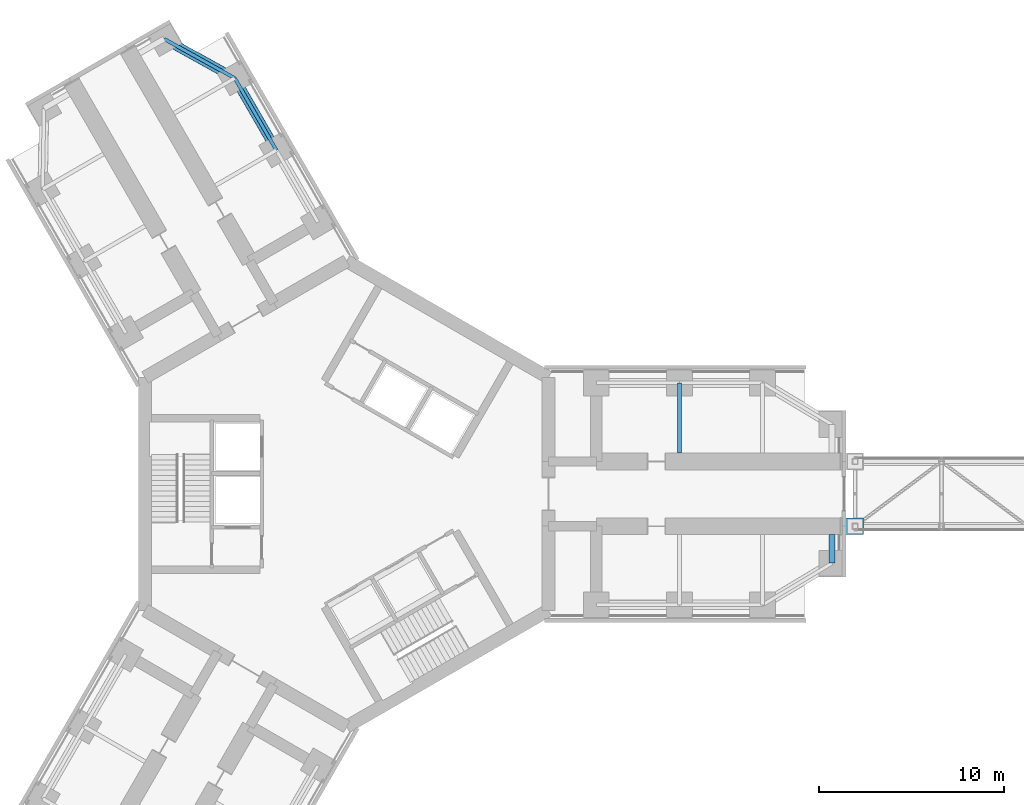
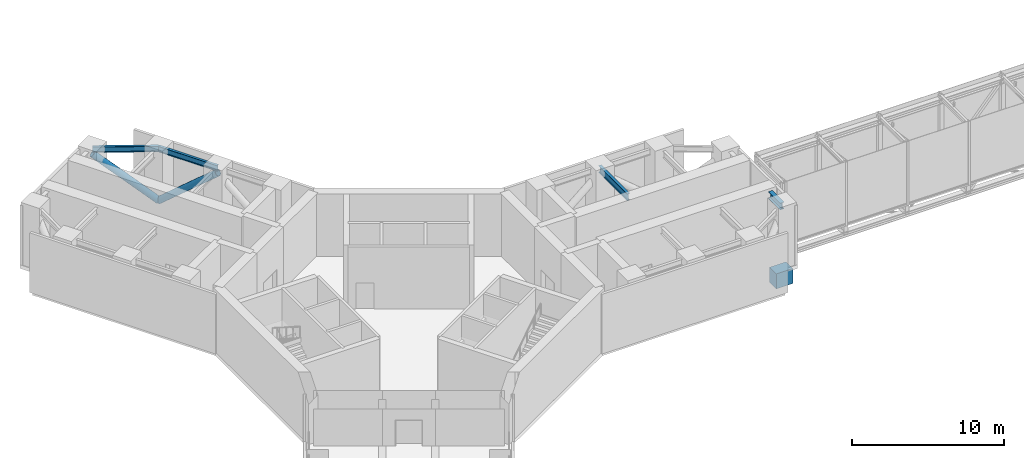
# One storey, part 2 of 17: 5 beams, 2 members.
"""IFC4 building model written with IfcOpenShell, lengths in metres."""

from ifc_helpers import new_model, si_unit, direction, frame, origin, origin_2d, place, context, subcontext, project, spatial, rectangle, hollow_circle, i_section, extrude, material, material_profile, profile_set, type_object, element, save


model = new_model("IFC4")

# Units and contexts
model_context = context("Model", 3, precision=1e-05, world=origin(), true_north=direction((0.0, 1.0)))
body_context = subcontext(model_context, "Body", "Model", "MODEL_VIEW")
ifc_project = project(units=[si_unit("LENGTHUNIT", "METRE"), si_unit("AREAUNIT", "SQUARE_METRE"), si_unit("VOLUMEUNIT", "CUBIC_METRE"), si_unit("PLANEANGLEUNIT", "RADIAN"), si_unit("MASSUNIT", "GRAM", prefix="KILO")], contexts=[model_context])

# Site, building, storey
site_placement = place(None, origin())
site = spatial("IfcSite", under=ifc_project, at=site_placement, CompositionType="ELEMENT")
building_placement = place(site_placement, origin())
building = spatial("IfcBuilding", under=site, at=building_placement, Name="Upepo Twin Towers", CompositionType="ELEMENT")
storey_placement = place(building_placement, frame((0.0, 0.0, 92.5)))
storey = spatial("IfcBuildingStorey", under=building, at=storey_placement, Name="L22", CompositionType="ELEMENT", Elevation=92.5)

# Beams
ifc_material_1 = material(Name="Steel S355", Category="steel")
ifc_material_profile_1 = material_profile(ifc_material_1, i_section(OverallWidth=0.1904296875, OverallDepth=0.45703125, WebThickness=0.009033203125, FlangeThickness=0.014404296875, FilletRadius=0.01025390625, at=origin_2d()), Name="UB 457x191x74")
ifc_profile_set_1 = profile_set([ifc_material_profile_1], Name="Steel S355")
beam_type_1 = type_object("IfcBeamType", Name="Beam UB 457x191x74", PredefinedType="BEAM", material=ifc_profile_set_1)
beam_1_placement = place(storey_placement, frame((-3.803955078125, 18.58837890625, 4.571533203125), z_axis=(-0.499990139034, 0.866031096941, 0.0), x_axis=(-0.866031096941, -0.499990139034, 0.0)))
element("IfcBeam", 1, at=beam_1_placement, inside=storey, type_object=beam_type_1, Name="T1 edge beam BR 18.0-22.5", PredefinedType="BEAM", context=body_context, shape_type="SweptSolid", body=[
    extrude(i_section(OverallWidth=0.1904296875, OverallDepth=0.45703125, WebThickness=0.009033203125, FlangeThickness=0.014404296875, FilletRadius=0.01025390625, at=origin_2d()), origin(), (0.0, 0.0, 1.0), 4.5),
])
beam_2_placement = place(storey_placement, frame((-6.053955078125, 22.485595703125, 4.571533203125), z_axis=(-0.874312600038, 0.485363242752, 0.0), x_axis=(-0.485363242752, -0.874312600038, 0.0)))
element("IfcBeam", 2, at=beam_2_placement, inside=storey, type_object=beam_type_1, Name="T1 nose edge beam BR", PredefinedType="BEAM", context=body_context, shape_type="SweptSolid", body=[
    extrude(i_section(OverallWidth=0.1904296875, OverallDepth=0.45703125, WebThickness=0.009033203125, FlangeThickness=0.014404296875, FilletRadius=0.01025390625, at=origin_2d()), origin(), (0.0, 0.0, 1.0), 4.373046875),
])
ifc_material_2 = material(Name="Steel S355", Category="steel")
ifc_material_profile_2 = material_profile(ifc_material_2, i_section(OverallWidth=0.209228515625, OverallDepth=0.533203125, WebThickness=0.010009765625, FlangeThickness=0.015625, FilletRadius=0.0126953125, at=origin_2d()), Name="UB 533x210x92")
ifc_profile_set_2 = profile_set([ifc_material_profile_2], Name="Steel S355")
beam_type_2 = type_object("IfcBeamType", Name="Beam UB 533x210x92", PredefinedType="BEAM", material=ifc_profile_set_2)
beam_3_placement = place(storey_placement, frame((18.0, 6.0, 4.533447265625), z_axis=(0.0, -1.0, 0.0), x_axis=(1.0, 0.0, 0.0)))
element("IfcBeam", 3, at=beam_3_placement, inside=storey, type_object=beam_type_2, Name="T1 girder AL at 18.0", PredefinedType="BEAM", context=body_context, shape_type="SweptSolid", body=[
    extrude(i_section(OverallWidth=0.209228515625, OverallDepth=0.533203125, WebThickness=0.010009765625, FlangeThickness=0.015625, FilletRadius=0.0126953125, at=origin_2d()), origin(), (0.0, 0.0, 1.0), 3.800048828125),
])
ifc_material_3 = material(Name="Steel S355", Category="steel")
ifc_material_profile_3 = material_profile(ifc_material_3, i_section(OverallWidth=0.31201171875, OverallDepth=0.54345703125, WebThickness=0.0126953125, FlangeThickness=0.020263671875, FilletRadius=0.0126953125, at=origin_2d()), Name="UB 533x312x150")
ifc_profile_set_3 = profile_set([ifc_material_profile_3], Name="Steel S355")
beam_type_3 = type_object("IfcBeamType", Name="Beam UB 533x312x150", PredefinedType="BEAM", material=ifc_profile_set_3)
beam_4_placement = place(storey_placement, frame((26.25, -3.75, 4.5283203125), z_axis=(0.0, 1.0, 0.0), x_axis=(-1.0, 0.0, 0.0)))
element("IfcBeam", 4, at=beam_4_placement, inside=storey, type_object=beam_type_3, Name="T1 nose beam AR", PredefinedType="BEAM", context=body_context, shape_type="SweptSolid", body=[
    extrude(i_section(OverallWidth=0.31201171875, OverallDepth=0.54345703125, WebThickness=0.0126953125, FlangeThickness=0.020263671875, FilletRadius=0.0126953125, at=origin_2d()), origin(), (0.0, 0.0, 1.0), 1.550048828125),
])

# Members
ifc_material_4 = material(Name="Steel S355", Category="steel")
ifc_material_profile_4 = material_profile(ifc_material_4, hollow_circle(Radius=0.25390625, WallThickness=0.02490234375, at=origin_2d()), Name="CHS 508.0x25.0")
ifc_profile_set_4 = profile_set([ifc_material_profile_4], Name="Steel S355")
member_type = type_object("IfcMemberType", Name="Belt truss diagonal CHS 508.0x25.0", PredefinedType="BRACE", material=ifc_profile_set_4)
member_1_placement = place(storey_placement, frame((-6.053955078125, 22.485595703125, 0.39990234375), z_axis=(0.382008516702, -0.66167555904, 0.645178229434), x_axis=(0.866031096941, 0.499990139034, 0.0)))
element("IfcMember", 5, at=member_1_placement, inside=storey, type_object=member_type, Name="T1 belt truss diagonal BR2", PredefinedType="BRACE", context=body_context, shape_type="SweptSolid", body=[
    extrude(hollow_circle(Radius=0.25390625, WallThickness=0.02490234375, at=origin_2d()), origin(), (0.0, 0.0, 1.0), 5.889892578125),
])
member_2_placement = place(storey_placement, frame((-6.053955078125, 22.485595703125, 0.39990234375), z_axis=(-0.659961082626, 0.366368792053, 0.65591560252), x_axis=(-0.485363242752, -0.874312600038, 0.0)))
element("IfcMember", 6, at=member_2_placement, inside=storey, type_object=member_type, Name="T1 belt truss nose diagonal BR", PredefinedType="BRACE", context=body_context, shape_type="SweptSolid", body=[
    extrude(hollow_circle(Radius=0.25390625, WallThickness=0.02490234375, at=origin_2d()), origin(), (0.0, 0.0, 1.0), 5.79345703125),
])

# Beam
ifc_material_5 = material(Name="Concrete C60/75", Category="concrete")
ifc_material_profile_5 = material_profile(ifc_material_5, rectangle(XDim=0.89990234375, YDim=1.199951171875, at=origin_2d()), Name="RC 900x1200")
ifc_profile_set_5 = profile_set([ifc_material_profile_5], Name="Concrete C60/75")
beam_type_4 = type_object("IfcBeamType", Name="Bridge bearing beam RC 900x1200", PredefinedType="BEAM", material=ifc_profile_set_5)
beam_5_placement = place(storey_placement, frame((26.699951171875, -1.75, -2.639404296875), z_axis=(1.0, 0.0, 0.0), x_axis=(0.0, 1.0, 0.0)))
element("IfcBeam", 7, at=beam_5_placement, inside=storey, type_object=beam_type_4, Name="BR1 bearing corbel at T1 S", PredefinedType="BEAM", context=body_context, shape_type="SweptSolid", body=[
    extrude(rectangle(XDim=0.89990234375, YDim=1.199951171875, at=origin_2d()), origin(), (0.0, 0.0, 1.0), 1.25),
])

save(model, "model.ifc")
